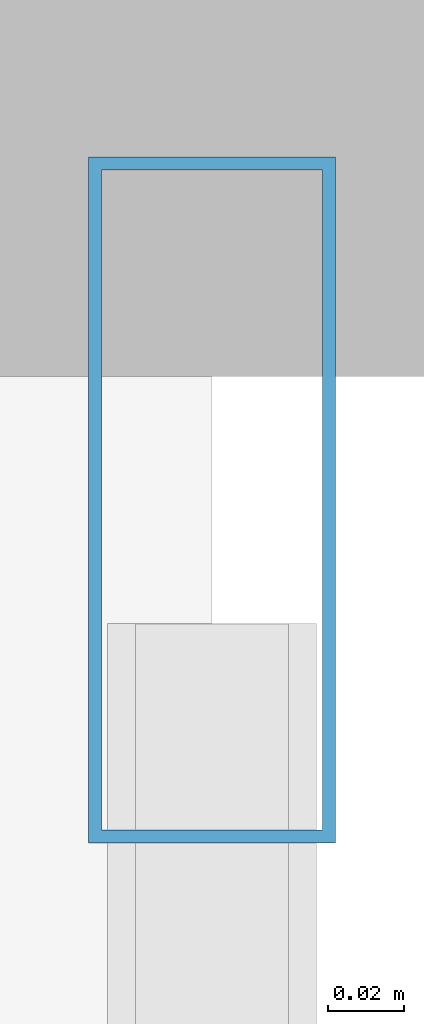
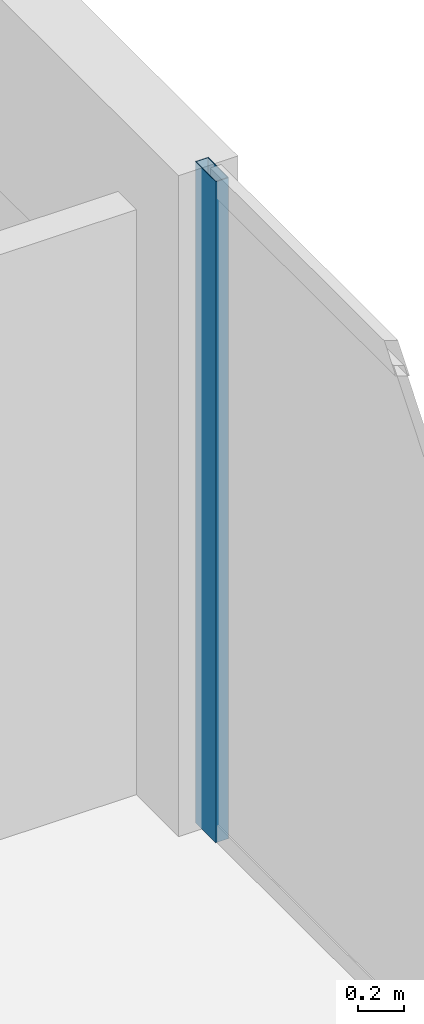
# One storey, part 21 of 32: 1 member, 1 element without a shape of its own.
"""IFC4 building model written with IfcOpenShell, lengths in metres."""

import ifcopenshell
import ifcopenshell.guid

model = None  # the IFC model being written
_history = None  # IfcOwnerHistory: only IFC2X3 demands one
_inside = {}  # id of a spatial element -> (the spatial element, [elements in it])
_under = {}  # id of a project, library or spatial element -> (it, [spatial elements below it])
_declared = {}  # id of a project -> (the project, [libraries it declares])
_typed = {}  # id of a type object -> (the type object, [elements of that type])
_made_of = {}  # id of a material, layer set ... -> (it, [elements and type objects made of it])


def new_model(schema):
    """Start an empty IFC model of exactly this schema.

    Asked for "IFC4X3", IfcOpenShell would pick the latest addendum, in which some entities
    have other attributes; the version numbers below select the first issue.
    IFC2X3 requires an IfcOwnerHistory on every rooted entity: one is made here for all.
    """
    global model, _history
    if schema == "IFC4X3":
        model = ifcopenshell.file(schema_version=(4, 3, 0, 0))
    else:
        model = ifcopenshell.file(schema=schema)
    _inside.clear()
    _under.clear()
    _declared.clear()
    _typed.clear()
    _made_of.clear()
    _history = None
    if model.schema == "IFC2X3":
        org = make("IfcOrganization", Name="unknown")
        user = make(
            "IfcPersonAndOrganization",
            ThePerson=make("IfcPerson", FamilyName="unknown"),
            TheOrganization=org,
        )
        app = make(
            "IfcApplication",
            ApplicationDeveloper=org,
            Version="unknown",
            ApplicationFullName="unknown",
            ApplicationIdentifier="unknown",
        )
        _history = make(
            "IfcOwnerHistory",
            OwningUser=user,
            OwningApplication=app,
            ChangeAction="ADDED",
            CreationDate=0,
        )
    return model


def make(cls, **values):
    """One entity of the class cls with the attributes given. An attribute that is None is left unset."""
    return model.create_entity(
        cls, **{name: value for name, value in values.items() if value is not None}
    )


def rooted(cls, **values):
    """An entity with a GlobalId (a new one), such as an element, a storey or a relation."""
    return make(cls, GlobalId=ifcopenshell.guid.new(), OwnerHistory=_history, **values)


def si_unit(unit_type, name, prefix=None):
    """IfcSIUnit, for example si_unit("LENGTHUNIT", "METRE", prefix="MILLI")."""
    return make("IfcSIUnit", UnitType=unit_type, Prefix=prefix, Name=name)


def assignment(units):
    """IfcUnitAssignment: the units of a project."""
    return None if units is None else make("IfcUnitAssignment", Units=units)


def point(xyz):
    """IfcCartesianPoint."""
    return None if xyz is None else make("IfcCartesianPoint", Coordinates=xyz)


def direction(xyz):
    """IfcDirection."""
    return None if xyz is None else make("IfcDirection", DirectionRatios=xyz)


def frame(location, z_axis=None, x_axis=None):
    """IfcAxis2Placement3D, a coordinate frame: its origin and axes. An axis left out is left unset."""
    return make(
        "IfcAxis2Placement3D",
        Location=point(location),
        Axis=direction(z_axis),
        RefDirection=direction(x_axis),
    )


def frame_2d(location, x_axis=None):
    """IfcAxis2Placement2D, a coordinate frame in the plane: its origin and x axis."""
    return make(
        "IfcAxis2Placement2D", Location=point(location), RefDirection=direction(x_axis)
    )


def origin():
    """The frame at (0, 0, 0) with its axes left unset."""
    return frame((0.0, 0.0, 0.0))


def origin_2d():
    """The frame at (0, 0) in the plane with its x axis left unset."""
    return frame_2d((0.0, 0.0))


def place(relative_to, where):
    """IfcLocalPlacement: puts the frame where relative to a parent placement (None: the world)."""
    return make(
        "IfcLocalPlacement", PlacementRelTo=relative_to, RelativePlacement=where
    )


def context(
    kind, dimensions, precision=None, world=None, true_north=None, identifier=None
):
    """IfcGeometricRepresentationContext, for example the 3D "Model" context."""
    return make(
        "IfcGeometricRepresentationContext",
        ContextIdentifier=identifier,
        ContextType=kind,
        CoordinateSpaceDimension=dimensions,
        Precision=precision,
        WorldCoordinateSystem=world,
        TrueNorth=true_north,
    )


def subcontext(parent, identifier, kind, view, scale=None):
    """IfcGeometricRepresentationSubContext, for example "Body" below "Model"."""
    return make(
        "IfcGeometricRepresentationSubContext",
        ContextIdentifier=identifier,
        ContextType=kind,
        ParentContext=parent,
        TargetScale=scale,
        TargetView=view,
    )


def project(units=None, contexts=None):
    """IfcProject with its units and contexts."""
    return rooted(
        "IfcProject",
        Name="project",
        RepresentationContexts=contexts,
        UnitsInContext=assignment(units),
    )


def spatial(cls, under=None, at=None, **own):
    """A site, building, storey or space (cls), placed at a placement, below another one or the project."""
    s = rooted(cls, ObjectPlacement=at, **own)
    if under is not None:
        _under.setdefault(under.id(), (under, []))[1].append(s)
    return s


def profile(cls, at=None, kind="AREA", **sizes):
    """A parametric profile (cls). Its sizes go by their IFC names, for example OverallWidth=200.0."""
    return make(cls, ProfileType=kind, Position=at, **sizes)


def hollow_rectangle(**sizes):
    """IfcRectangleHollowProfileDef."""
    return profile("IfcRectangleHollowProfileDef", **sizes)


def extrude(swept, where, along, depth):
    """IfcExtrudedAreaSolid: the profile swept, set in the frame where, extruded along a direction by depth."""
    return make(
        "IfcExtrudedAreaSolid",
        SweptArea=swept,
        Position=where,
        ExtrudedDirection=direction(along),
        Depth=depth,
    )


def shape(context_of_items, identifier, shape_type, items):
    """IfcShapeRepresentation: the items that make up one representation, for example the "Body"."""
    return make(
        "IfcShapeRepresentation",
        ContextOfItems=context_of_items,
        RepresentationIdentifier=identifier,
        RepresentationType=shape_type,
        Items=items,
    )


def material(Name=None, Category=None):
    """IfcMaterial."""
    return make("IfcMaterial", Name=Name, Category=Category)


def layer(
    of_material, thickness, ventilated=None, Name=None, Category=None, Priority=None
):
    """IfcMaterialLayer: one layer of a wall or slab, of a material (None: an air gap)."""
    return make(
        "IfcMaterialLayer",
        Material=of_material,
        LayerThickness=thickness,
        IsVentilated=ventilated,
        Name=Name,
        Category=Category,
        Priority=Priority,
    )


def layer_set(layers, Name=None):
    """IfcMaterialLayerSet."""
    return make("IfcMaterialLayerSet", MaterialLayers=layers, LayerSetName=Name)


def material_profile(
    of_material, cross_section, Name=None, Category=None, Priority=None
):
    """IfcMaterialProfile: a cross section and its material."""
    return make(
        "IfcMaterialProfile",
        Name=Name,
        Material=of_material,
        Profile=cross_section,
        Priority=Priority,
        Category=Category,
    )


def profile_set(profiles, Name=None, composite=None):
    """IfcMaterialProfileSet."""
    return make(
        "IfcMaterialProfileSet",
        Name=Name,
        MaterialProfiles=profiles,
        CompositeProfile=composite,
    )


def made_of(thing, what):
    """Note that an element or type object is made of a material, layer set ...; save() writes the relation."""
    if what is not None:
        _made_of.setdefault(what.id(), (what, []))[1].append(thing)
    return thing


def type_object(cls, material=None, **own):
    """A type object (cls), such as IfcWallType, which elements share."""
    return made_of(rooted(cls, **own), material)


def element(
    cls,
    number,
    at=None,
    inside=None,
    cuts=None,
    type_object=None,
    material=None,
    context=None,
    identifier="Body",
    shape_type=None,
    held_by="IfcProductDefinitionShape",
    body=None,
    shapes=None,
    **own,
):
    """One element of the class cls, such as IfcWall. Its Tag is "e" and its number.

    at: its placement. inside: the storey or other place that contains it. cuts: it is an
    opening in that element (IfcRelVoidsElement). A single representation is given by context,
    identifier, shape_type and body (its items); several are given by shapes. held_by: the class
    of the entity that holds the representations. save() writes the other relations.
    """
    e = rooted(cls, Tag="e%d" % number, ObjectPlacement=at, **own)
    if body is not None:
        shapes = [shape(context, identifier, shape_type, body)]
    if shapes is not None:
        e.Representation = make(held_by, Representations=shapes)
    if inside is not None:
        _inside.setdefault(inside.id(), (inside, []))[1].append(e)
    if cuts is not None:
        rooted(
            "IfcRelVoidsElement", RelatingBuildingElement=cuts, RelatedOpeningElement=e
        )
    if type_object is not None:
        _typed.setdefault(type_object.id(), (type_object, []))[1].append(e)
    return made_of(e, material)


def aggregate(whole, parts):
    """IfcRelAggregates: a whole, such as a stair, and the parts it consists of."""
    return rooted("IfcRelAggregates", RelatingObject=whole, RelatedObjects=parts)


def save(model, path):
    """Write the relations noted so far, then the file.

    IfcRelAggregates (storeys below a building ...), IfcRelContainedInSpatialStructure (elements
    in a storey), IfcRelDefinesByType, IfcRelAssociatesMaterial and IfcRelDeclares: one each for
    every whole, place, type object, material and project.
    """
    for whole, parts in _under.values():
        aggregate(whole, parts)
    for where, things in _inside.values():
        rooted(
            "IfcRelContainedInSpatialStructure",
            RelatedElements=things,
            RelatingStructure=where,
        )
    for kind, things in _typed.values():
        rooted("IfcRelDefinesByType", RelatedObjects=things, RelatingType=kind)
    for what, things in _made_of.values():
        rooted("IfcRelAssociatesMaterial", RelatedObjects=things, RelatingMaterial=what)
    for by, libraries in _declared.values():
        rooted("IfcRelDeclares", RelatingContext=by, RelatedDefinitions=libraries)
    model.write(path)


model = new_model("IFC4")

# Units and contexts
model_context = context("Model", 3, precision=1e-05, world=origin(), true_north=direction((0.0, 1.0)))
body_context = subcontext(model_context, "Body", "Model", "MODEL_VIEW")
ifc_project = project(units=[si_unit("LENGTHUNIT", "METRE"), si_unit("AREAUNIT", "SQUARE_METRE"), si_unit("VOLUMEUNIT", "CUBIC_METRE"), si_unit("PLANEANGLEUNIT", "RADIAN"), si_unit("MASSUNIT", "GRAM", prefix="KILO")], contexts=[model_context])

# Site, building, storey
site_placement = place(None, origin())
site = spatial("IfcSite", under=ifc_project, at=site_placement, CompositionType="ELEMENT")
building_placement = place(site_placement, origin())
building = spatial("IfcBuilding", under=site, at=building_placement, Name="Zuhayl Quay Hotel", CompositionType="ELEMENT")
storey_placement = place(building_placement, frame((0.0, 0.0, 226.14990234375)))
storey = spatial("IfcBuildingStorey", under=building, at=storey_placement, Name="L57", CompositionType="ELEMENT", Elevation=226.14990234375)

# Curtain wall, member
ifc_material_1 = material(Name="Anodised Aluminium 6063-T6", Category="aluminium")
ifc_layer = layer(ifc_material_1, 0.175048828125, Name="Anodised Aluminium 6063-T6", Category="aluminium")
ifc_layer_set = layer_set([ifc_layer], Name="Anodised Aluminium 6063-T6")
curtain_wall_type = type_object("IfcCurtainWallType", Name="CW_SYS_Z3", PredefinedType="USERDEFINED", material=ifc_layer_set)
curtain_wall_placement = place(storey_placement, origin())
curtain_wall = element("IfcCurtainWall", 1, at=curtain_wall_placement, inside=storey, type_object=curtain_wall_type, Name="L57 Curtain Wall ENV_L57_E11_CW1", ObjectType="UNITISED CURTAIN WALL", PredefinedType="USERDEFINED")
ifc_material_2 = material(Name="Black-anodised aluminium 6063-T6", Category="aluminium")
ifc_material_profile = material_profile(ifc_material_2, hollow_rectangle(XDim=0.06494140625, YDim=0.179931640625, WallThickness=0.00341796875, at=origin_2d()), Name="ALU180X65")
ifc_profile_set = profile_set([ifc_material_profile], Name="Black-anodised aluminium 6063-T6")
member_type = type_object("IfcMemberType", Name="MB_CW_MUL_180", PredefinedType="MULLION", material=ifc_profile_set)
member_placement = place(storey_placement, frame((22.10009765625, 24.517578125, 0.0), z_axis=(0.0, 0.0, 1.0), x_axis=(1.0, 0.0, 0.0)))
member = element("IfcMember", 2, at=member_placement, type_object=member_type, Name="CW-Z3 mullion 1", PredefinedType="MULLION", context=body_context, shape_type="SweptSolid", body=[
    extrude(hollow_rectangle(XDim=0.06494140625, YDim=0.179931640625, WallThickness=0.00341796875, at=origin_2d()), origin(), (0.0, 0.0, 1.0), 3.530029296875),
])
aggregate(curtain_wall, [member])

save(model, "model.ifc")
